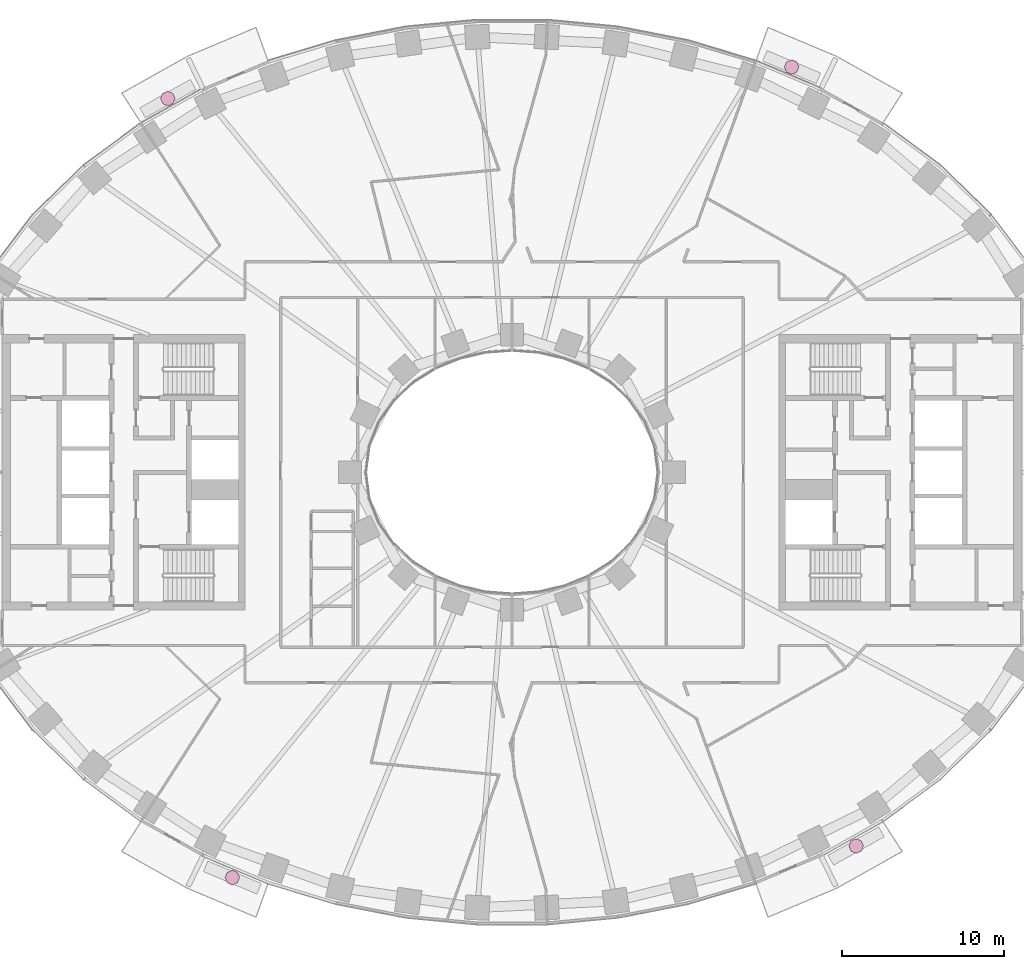
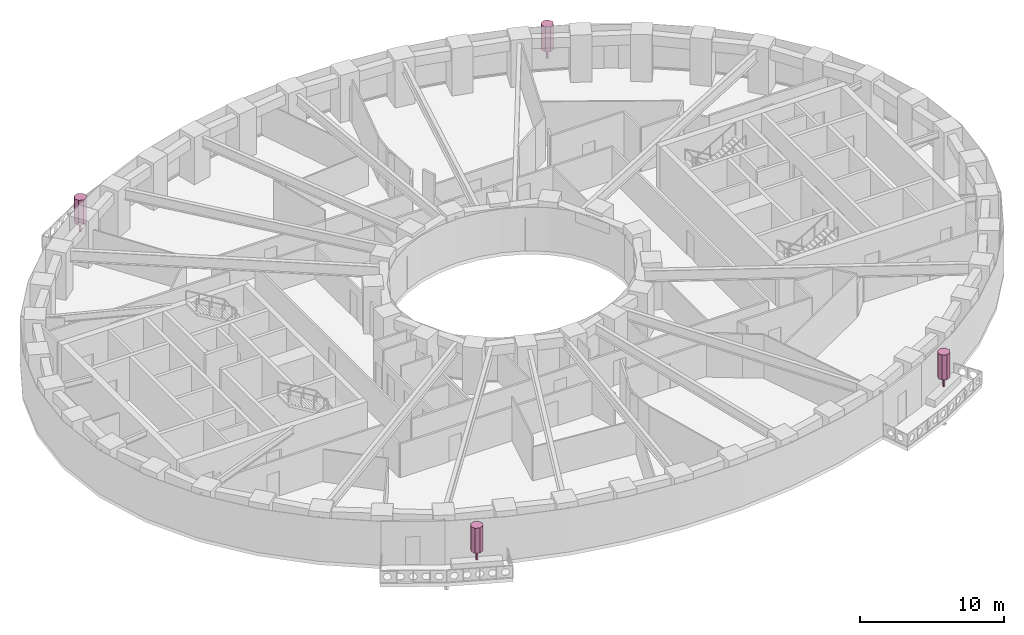
# One storey, part 15 of 15: 4 furnishings.
"""IFC4 building model written with IfcOpenShell, lengths in metres."""

from ifc_helpers import new_model, si_unit, direction, frame, origin, origin_2d, place, context, subcontext, project, spatial, polyline, rectangle, outline, extrude, material, type_object, element, save


model = new_model("IFC4")

# Units and contexts
model_context = context("Model", 3, precision=1e-05, world=origin(), true_north=direction((0.0, 1.0)))
body_context = subcontext(model_context, "Body", "Model", "MODEL_VIEW")
ifc_project = project(units=[si_unit("LENGTHUNIT", "METRE"), si_unit("AREAUNIT", "SQUARE_METRE"), si_unit("VOLUMEUNIT", "CUBIC_METRE"), si_unit("PLANEANGLEUNIT", "RADIAN"), si_unit("MASSUNIT", "GRAM", prefix="KILO")], contexts=[model_context])

# Site, building, storey
site_placement = place(None, origin())
site = spatial("IfcSite", under=ifc_project, at=site_placement, CompositionType="ELEMENT")
building_placement = place(site_placement, origin())
building = spatial("IfcBuilding", under=site, at=building_placement, Name="Noorbagh Ring Tower", CompositionType="ELEMENT")
storey_placement = place(building_placement, frame((0.0, 0.0, 50.5)))
storey = spatial("IfcBuildingStorey", under=building, at=storey_placement, Name="L10", CompositionType="ELEMENT", Elevation=50.5)

# Furnishings
ifc_material = material(Name="Planting foliage green")
furnishing_element_type = type_object("IfcFurnishingElementType", Name="ENV-TREE", material=ifc_material)
for number, where, z_axis, x_axis, name in (
    (1, (17.280517578125, 25.041259765625, 0.60009765625), (0.0, 0.0, 1.0), (1.0, 0.0, 0.0), "Tree BN02"),
    (2, (-21.26513671875, 23.093017578125, 0.60009765625), (0.0, 0.0, 1.0), (1.0, 0.0, 0.0), "Tree BN05"),
    (3, (-17.280517578125, -25.041259765625, 0.60009765625), (0.0, 0.0, 1.0), (1.0, 0.0, 0.0), "Tree BS02"),
    (4, (21.26513671875, -23.093017578125, 0.60009765625), (0.0, 0.0, 1.0), (1.0, 0.0, 0.0), "Tree BS05"),
):
    element("IfcFurnishingElement", number, at=place(storey_placement, frame(where, z_axis=z_axis, x_axis=x_axis)), inside=storey, type_object=furnishing_element_type, Name=name, context=body_context, shape_type="SweptSolid", body=[
        extrude(rectangle(XDim=0.1201171875, YDim=0.1201171875, at=origin_2d()), origin(), (0.0, 0.0, 1.0), 0.825927734375),
        extrude(outline(polyline([(0.449951171875, 0.0), (0.318115234375, 0.318115234375), (0.0, 0.449951171875), (-0.318115234375, 0.318115234375), (-0.449951171875, 0.0), (-0.318115234375, -0.318115234375), (0.0, -0.449951171875), (0.318115234375, -0.318115234375), (0.449951171875, 0.0)])), frame((0.0, 0.0, 0.825927734375)), (0.0, 0.0, 1.0), 2.1240234375),
    ])

save(model, "model.ifc")
